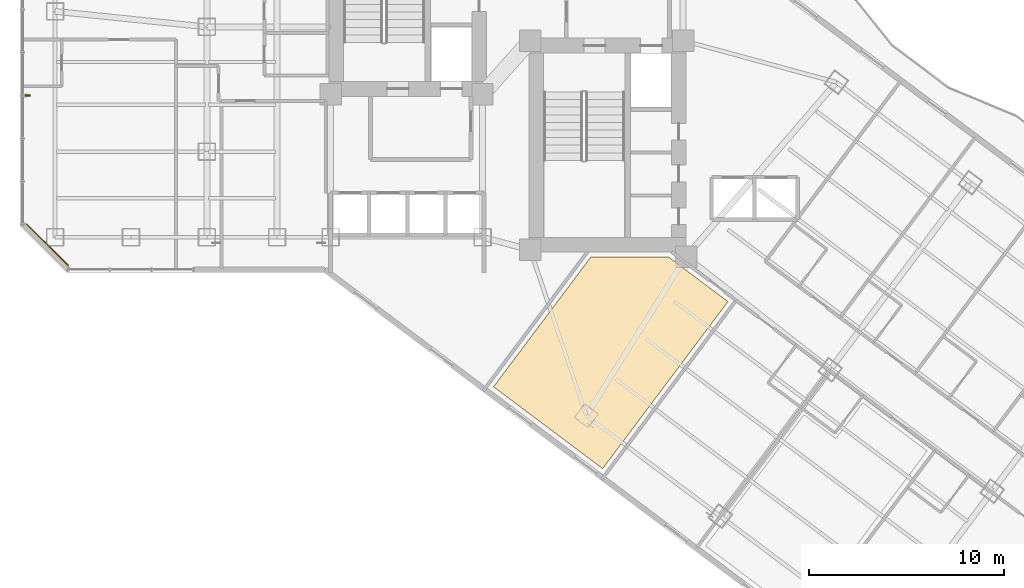
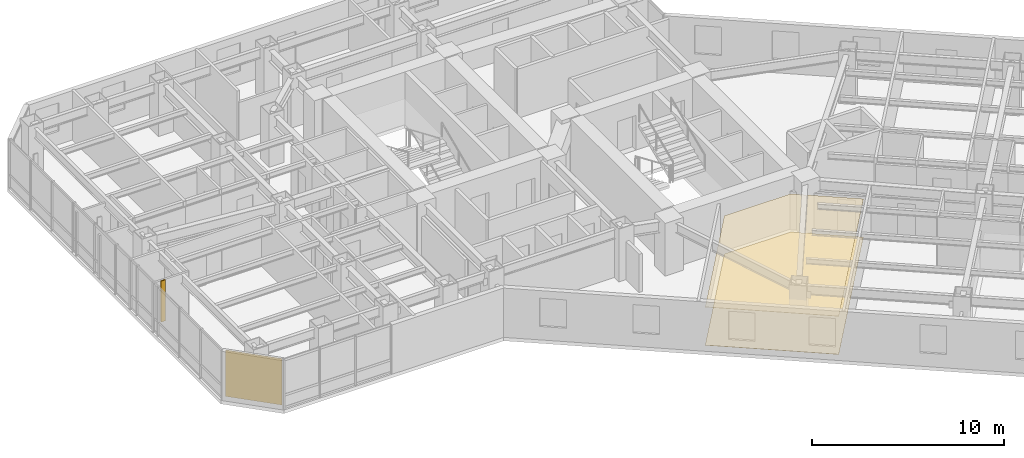
# One storey, part 27 of 31: 3 coverings, 1 shading device.
"""IFC4 building model written with IfcOpenShell, lengths in metres."""

from ifc_helpers import new_model, si_unit, direction, frame, origin, origin_2d, place, context, subcontext, project, spatial, polyline, rectangle, outline, extrude, material, layer, layer_set, type_object, element, save


model = new_model("IFC4")

# Units and contexts
model_context = context("Model", 3, precision=1e-05, world=origin(), true_north=direction((0.0, 1.0)))
body_context = subcontext(model_context, "Body", "Model", "MODEL_VIEW")
ifc_project = project(units=[si_unit("LENGTHUNIT", "METRE"), si_unit("AREAUNIT", "SQUARE_METRE"), si_unit("VOLUMEUNIT", "CUBIC_METRE"), si_unit("PLANEANGLEUNIT", "RADIAN"), si_unit("MASSUNIT", "GRAM", prefix="KILO")], contexts=[model_context])

# Site, building, storey
site_placement = place(None, origin())
site = spatial("IfcSite", under=ifc_project, at=site_placement, CompositionType="ELEMENT")
building_placement = place(site_placement, origin())
building = spatial("IfcBuilding", under=site, at=building_placement, Name="Hatsunagi Terrace Concourse", CompositionType="ELEMENT")
storey_placement = place(building_placement, frame((0.0, 0.0, 81.300048828125)))
storey = spatial("IfcBuildingStorey", under=building, at=storey_placement, Name="L21", CompositionType="ELEMENT", Elevation=81.300048828125)

# Coverings
ifc_material_1 = material(Name="Acoustic mineral board", Category="gypsum")
ifc_layer_1 = layer(ifc_material_1, 0.02001953125)
ifc_layer_set_1 = layer_set([ifc_layer_1], Name="AcousticMineralCeiling_20")
covering_type_1 = type_object("IfcCoveringType", Name="AcousticMineralCeiling_20", PredefinedType="CEILING", material=ifc_layer_set_1)
covering_1_placement = place(storey_placement, frame((0.0, 0.0, 2.419921875)))
element("IfcCovering", 1, at=covering_1_placement, inside=storey, type_object=covering_type_1, Name="Suspended Ceiling L21-1", PredefinedType="CEILING", context=body_context, shape_type="SweptSolid", body=[
    extrude(outline(polyline([(39.51806640625, 13.323974609375), (45.949951171875, 21.89990234375), (42.89697265625, 24.18994140625), (38.9169921875, 24.18994140625), (33.91796875, 17.52392578125), (39.51806640625, 13.323974609375)])), origin(), (0.0, 0.0, 1.0), 0.02001953125),
])
ifc_material_2 = material(Name="Hardwood timber", Category="wood")
ifc_layer_2 = layer(ifc_material_2, 0.014892578125)
ifc_layer_set_2 = layer_set([ifc_layer_2], Name="HardwoodTimberFlooring_15")
covering_type_2 = type_object("IfcCoveringType", Name="HardwoodTimberFlooring_15", PredefinedType="FLOORING", material=ifc_layer_set_2)
covering_2_placement = place(storey_placement, origin())
element("IfcCovering", 2, at=covering_2_placement, inside=storey, type_object=covering_type_2, Name="Finished Flooring L21-1", PredefinedType="FLOORING", context=body_context, shape_type="SweptSolid", body=[
    extrude(outline(polyline([(39.51806640625, 13.323974609375), (45.949951171875, 21.89990234375), (42.89697265625, 24.18994140625), (38.9169921875, 24.18994140625), (33.91796875, 17.52392578125), (39.51806640625, 13.323974609375)])), origin(), (0.0, 0.0, 1.0), 0.014892578125),
])

# Shading device
ifc_material_3 = material(Name="Extruded Unglazed Terracotta Baguette", Category="masonry")
shading_device_type = type_object("IfcShadingDeviceType", Name="TerracottaFinScreen_260x70", PredefinedType="USERDEFINED", material=ifc_material_3)
shading_device_placement = place(storey_placement, frame((9.989990234375, 32.48291015625, 0.849853515625), z_axis=(0.0, 0.0, 1.0), x_axis=(0.0, 1.0, 0.0)))
element("IfcShadingDevice", 3, at=shading_device_placement, inside=storey, type_object=shading_device_type, Name="Terracotta Baguette Fin Screen SCR-01", ObjectType="SUNSHADE", PredefinedType="USERDEFINED", context=body_context, shape_type="SweptSolid", body=[
    extrude(rectangle(XDim=0.070068359375, YDim=0.260009765625, at=origin_2d()), origin(), (0.0, 0.0, 1.0), 2.60009765625),
])

# Covering
ifc_material_4 = material(Name="Unglazed Warm Terracotta Rainscreen Tile", Category="masonry")
ifc_layer_3 = layer(ifc_material_4, 0.044921875)
ifc_layer_set_3 = layer_set([ifc_layer_3], Name="TerracottaRainscreenCladding_45")
covering_type_3 = type_object("IfcCoveringType", Name="TerracottaRainscreenCladding_45", PredefinedType="CLADDING", material=ifc_layer_set_3)
covering_3_placement = place(storey_placement, frame((11.013916015625, 24.81396484375, 0.10009765625), z_axis=(0.0, 0.0, 1.0), x_axis=(-0.707106781187, 0.707106781187, 0.0)))
element("IfcCovering", 4, at=covering_3_placement, inside=storey, type_object=covering_type_3, Name="Terracotta Rainscreen Cladding L21-08", PredefinedType="CLADDING", context=body_context, shape_type="SweptSolid", body=[
    extrude(rectangle(XDim=3.0380859375, YDim=0.044921875, at=origin_2d()), origin(), (0.0, 0.0, 1.0), 2.929931640625),
])

save(model, "model.ifc")
